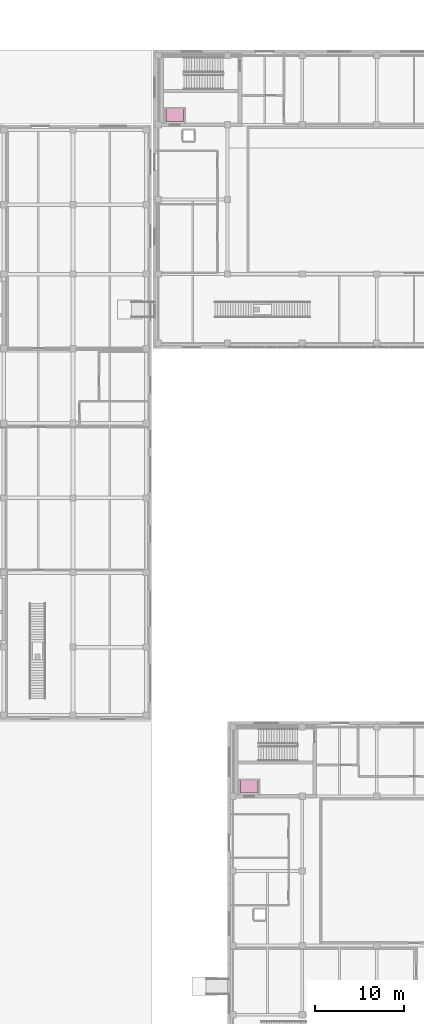
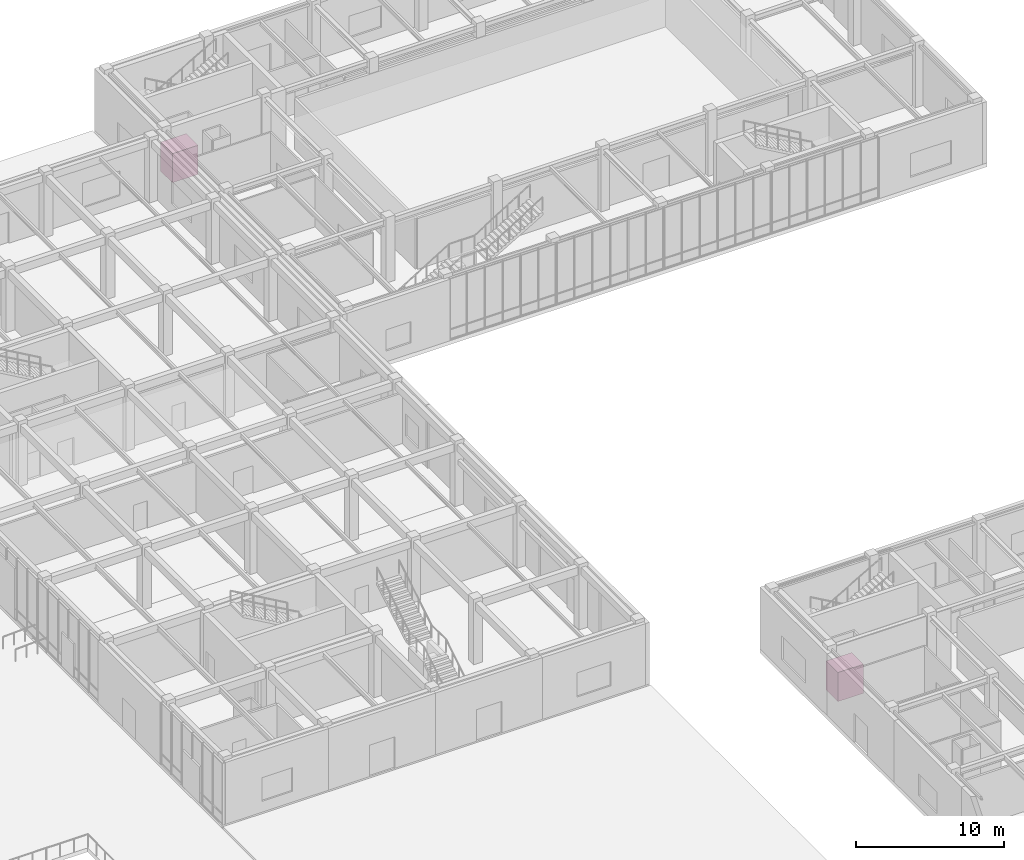
# One storey, part 122 of 122: 2 transport elements.
"""IFC4 building model written with IfcOpenShell, lengths in metres."""

from ifc_helpers import new_model, si_unit, direction, frame, origin, origin_2d, place, context, subcontext, project, spatial, rectangle, extrude, material, type_object, element, save


model = new_model("IFC4")

# Units and contexts
model_context = context("Model", 3, precision=1e-05, world=origin(), true_north=direction((0.0, 1.0)))
body_context = subcontext(model_context, "Body", "Model", "MODEL_VIEW")
ifc_project = project(units=[si_unit("LENGTHUNIT", "METRE"), si_unit("AREAUNIT", "SQUARE_METRE"), si_unit("VOLUMEUNIT", "CUBIC_METRE"), si_unit("PLANEANGLEUNIT", "RADIAN"), si_unit("MASSUNIT", "GRAM", prefix="KILO")], contexts=[model_context])

# Site, building, storey
site_placement = place(None, origin())
site = spatial("IfcSite", under=ifc_project, at=site_placement, CompositionType="ELEMENT")
building_placement = place(site_placement, origin())
building = spatial("IfcBuilding", under=site, at=building_placement, Name="Zayran Congress Hotel", CompositionType="ELEMENT")
storey_placement = place(building_placement, origin())
storey = spatial("IfcBuildingStorey", under=building, at=storey_placement, Name="L00", CompositionType="ELEMENT", Elevation=0.0)

# Transport elements
ifc_material = material(Name="Stainless steel elevator cab assembly", Category="steel")
transport_element_type = type_object("IfcTransportElementType", Name="TP-LFT-PAX", PredefinedType="ELEVATOR", material=ifc_material)
for number, where, z_axis, x_axis, name in (
    (1, (145.25, 110.75, 0.0), (0.0, 0.0, 1.0), (1.0, 0.0, 0.0), "Elevator PL-07"),
    (2, (153.64990234375, 35.14990234375, 0.0), (0.0, 0.0, 1.0), (1.0, 0.0, 0.0), "Elevator PL-08"),
):
    element("IfcTransportElement", number, at=place(storey_placement, frame(where, z_axis=z_axis, x_axis=x_axis)), inside=storey, type_object=transport_element_type, Name=name, PredefinedType="ELEVATOR", context=body_context, shape_type="SweptSolid", body=[
        extrude(rectangle(XDim=2.0, YDim=1.60009765625, at=origin_2d()), origin(), (0.0, 0.0, 1.0), 2.39990234375),
    ])

save(model, "model.ifc")
